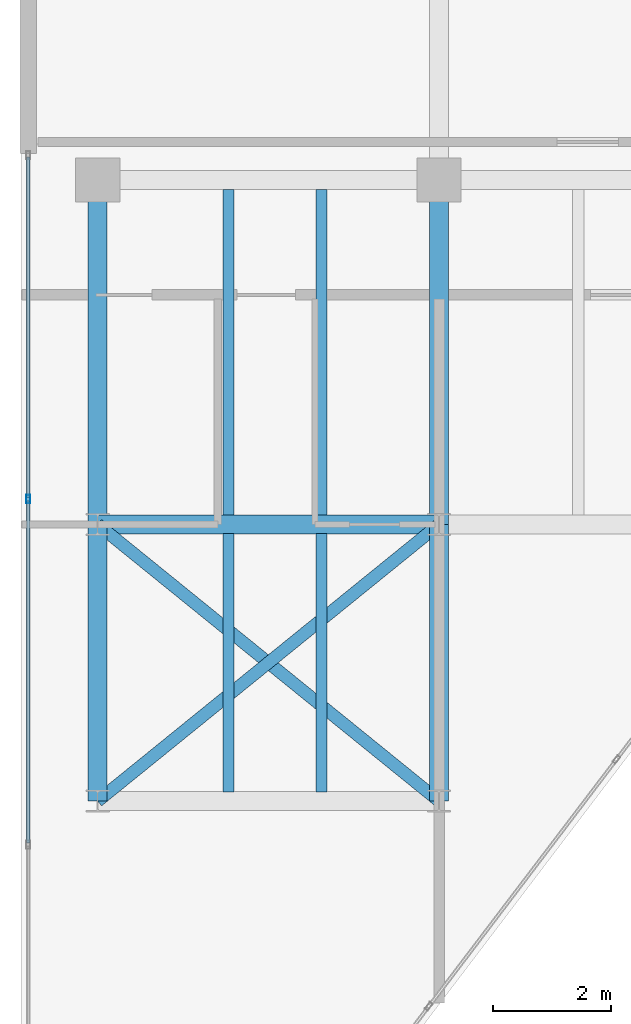
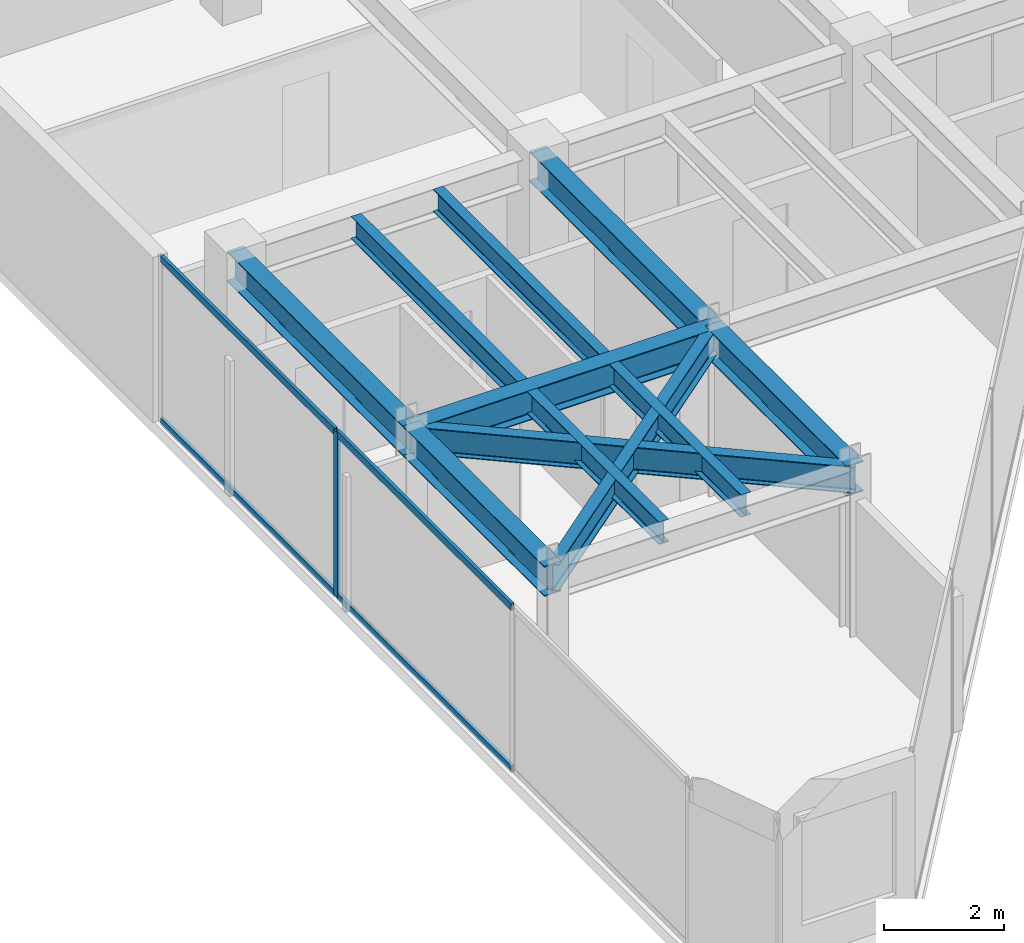
# One storey, part 3 of 17: 11 beams, 5 members, 1 element without a shape of its own.
"""IFC4 building model written with IfcOpenShell, lengths in metres."""

from ifc_helpers import new_model, si_unit, direction, frame, origin, origin_2d, place, context, subcontext, project, spatial, hollow_rectangle, i_section, extrude, material, layer, layer_set, material_profile, profile_set, type_object, element, aggregate, save


model = new_model("IFC4")

# Units and contexts
model_context = context("Model", 3, precision=1e-05, world=origin(), true_north=direction((0.0, 1.0)))
body_context = subcontext(model_context, "Body", "Model", "MODEL_VIEW")
ifc_project = project(units=[si_unit("LENGTHUNIT", "METRE"), si_unit("AREAUNIT", "SQUARE_METRE"), si_unit("VOLUMEUNIT", "CUBIC_METRE"), si_unit("PLANEANGLEUNIT", "RADIAN"), si_unit("MASSUNIT", "GRAM", prefix="KILO")], contexts=[model_context])

# Site, building, storey
site_placement = place(None, origin())
site = spatial("IfcSite", under=ifc_project, at=site_placement, CompositionType="ELEMENT")
building_placement = place(site_placement, origin())
building = spatial("IfcBuilding", under=site, at=building_placement, Name="Kravanh Interchange Tower", CompositionType="ELEMENT")
storey_placement = place(building_placement, frame((0.0, 0.0, 293.10009765625)))
storey = spatial("IfcBuildingStorey", under=building, at=storey_placement, Name="L72", CompositionType="ELEMENT", Elevation=293.10009765625)

# Curtain wall, members
ifc_material_1 = material(Name="Anodised Bronze Aluminium", Category="aluminium")
ifc_layer = layer(ifc_material_1, 0.179931640625)
ifc_layer_set = layer_set([ifc_layer], Name="Unitised Curtain Wall System CW-HTL Luxury Hotel")
curtain_wall_type = type_object("IfcCurtainWallType", Name="Unitised Curtain Wall System CW-HTL Luxury Hotel", PredefinedType="NOTDEFINED", material=ifc_layer_set)
curtain_wall_placement = place(storey_placement, origin())
curtain_wall = element("IfcCurtainWall", 1, at=curtain_wall_placement, inside=storey, type_object=curtain_wall_type, Name="L72 Unitised Curtain Wall CW-L72-01", PredefinedType="NOTDEFINED")
ifc_material_2 = material(Name="Anodised Bronze Aluminium", Category="aluminium")
ifc_material_profile_1 = material_profile(ifc_material_2, hollow_rectangle(XDim=0.06005859375, YDim=0.139892578125, WallThickness=0.00390625, at=origin_2d()), Name="ALU60X140X4")
ifc_profile_set_1 = profile_set([ifc_material_profile_1], Name="Anodised Bronze Aluminium")
member_type_1 = type_object("IfcMemberType", Name="Curtain Wall Mullion ALU60X140X4 Bronze", PredefinedType="MULLION", material=ifc_profile_set_1)
member_1_placement = place(storey_placement, frame((31.6201171875, 31.929931640625, 0.0), z_axis=(0.0, 0.0, 1.0), x_axis=(-1.0, 0.0, 0.0)))
member_1 = element("IfcMember", 2, at=member_1_placement, type_object=member_type_1, Name="CW-HTL mullion 3", PredefinedType="MULLION", context=body_context, shape_type="SweptSolid", body=[
    extrude(hollow_rectangle(XDim=0.06005859375, YDim=0.139892578125, WallThickness=0.00390625, at=origin_2d()), origin(), (0.0, 0.0, 1.0), 3.349853515625),
])
ifc_material_3 = material(Name="Anodised Bronze Aluminium", Category="aluminium")
ifc_material_profile_2 = material_profile(ifc_material_3, hollow_rectangle(XDim=0.06005859375, YDim=0.139892578125, WallThickness=0.00390625, at=origin_2d()), Name="ALU60X140X4")
ifc_profile_set_2 = profile_set([ifc_material_profile_2], Name="Anodised Bronze Aluminium")
member_type_2 = type_object("IfcMemberType", Name="Curtain Wall Transom ALU60X140X4 Bronze", PredefinedType="USERDEFINED", material=ifc_profile_set_2)
member_2_placement = place(storey_placement, frame((31.6201171875, 26.08984375, 0.02978515625), z_axis=(0.0, 1.0, 0.0), x_axis=(-1.0, 0.0, 0.0)))
member_2 = element("IfcMember", 3, at=member_2_placement, type_object=member_type_2, Name="CW-HTL transom 2.1", ObjectType="TRANSOM", PredefinedType="USERDEFINED", context=body_context, shape_type="SweptSolid", body=[
    extrude(hollow_rectangle(XDim=0.06005859375, YDim=0.139892578125, WallThickness=0.00390625, at=origin_2d()), origin(), (0.0, 0.0, 1.0), 5.81005859375),
])
member_3_placement = place(storey_placement, frame((31.6201171875, 26.08984375, 3.31982421875), z_axis=(0.0, 1.0, 0.0), x_axis=(-1.0, 0.0, 0.0)))
member_3 = element("IfcMember", 4, at=member_3_placement, type_object=member_type_2, Name="CW-HTL transom 2.2", ObjectType="TRANSOM", PredefinedType="USERDEFINED", context=body_context, shape_type="SweptSolid", body=[
    extrude(hollow_rectangle(XDim=0.06005859375, YDim=0.139892578125, WallThickness=0.00390625, at=origin_2d()), origin(), (0.0, 0.0, 1.0), 5.81005859375),
])
member_4_placement = place(storey_placement, frame((31.6201171875, 31.9599609375, 0.02978515625), z_axis=(0.0, 1.0, 0.0), x_axis=(-1.0, 0.0, 0.0)))
member_4 = element("IfcMember", 5, at=member_4_placement, type_object=member_type_2, Name="CW-HTL transom 3.1", ObjectType="TRANSOM", PredefinedType="USERDEFINED", context=body_context, shape_type="SweptSolid", body=[
    extrude(hollow_rectangle(XDim=0.06005859375, YDim=0.139892578125, WallThickness=0.00390625, at=origin_2d()), origin(), (0.0, 0.0, 1.0), 5.780029296875),
])
member_5_placement = place(storey_placement, frame((31.6201171875, 31.9599609375, 3.31982421875), z_axis=(0.0, 1.0, 0.0), x_axis=(-1.0, 0.0, 0.0)))
member_5 = element("IfcMember", 6, at=member_5_placement, type_object=member_type_2, Name="CW-HTL transom 3.2", ObjectType="TRANSOM", PredefinedType="USERDEFINED", context=body_context, shape_type="SweptSolid", body=[
    extrude(hollow_rectangle(XDim=0.06005859375, YDim=0.139892578125, WallThickness=0.00390625, at=origin_2d()), origin(), (0.0, 0.0, 1.0), 5.780029296875),
])
aggregate(curtain_wall, [member_1, member_2, member_3, member_4, member_5])

# Beams
ifc_material_4 = material(Name="Structural Steel S355", Category="steel")
ifc_material_profile_3 = material_profile(ifc_material_4, i_section(OverallWidth=0.323974609375, OverallDepth=0.611083984375, WebThickness=0.0126953125, FlangeThickness=0.01904296875, FilletRadius=0.02197265625, at=origin_2d()), Name="W24X104")
ifc_profile_set_3 = profile_set([ifc_material_profile_3], Name="Structural Steel S355")
beam_type_1 = type_object("IfcBeamType", Name="Floor Beam W24X104 Structural Steel S355", PredefinedType="BEAM", material=ifc_profile_set_3)
beam_1_placement = place(storey_placement, frame((38.60009765625, 31.5, 3.04443359375), z_axis=(0.0, -1.0, 0.0), x_axis=(1.0, 0.0, 0.0)))
element("IfcBeam", 7, at=beam_1_placement, inside=storey, type_object=beam_type_1, Name="L72 Primary Floor Girder 17", PredefinedType="BEAM", context=body_context, shape_type="SweptSolid", body=[
    extrude(i_section(OverallWidth=0.323974609375, OverallDepth=0.611083984375, WebThickness=0.0126953125, FlangeThickness=0.01904296875, FilletRadius=0.02197265625, at=origin_2d()), origin(), (0.0, 0.0, 1.0), 4.699951171875),
])
beam_2_placement = place(storey_placement, frame((38.60009765625, 31.5, 3.04443359375), z_axis=(-1.0, 0.0, 0.0), x_axis=(0.0, -1.0, 0.0)))
element("IfcBeam", 8, at=beam_2_placement, inside=storey, type_object=beam_type_1, Name="L72 Primary Floor Girder 18", PredefinedType="BEAM", context=body_context, shape_type="SweptSolid", body=[
    extrude(i_section(OverallWidth=0.323974609375, OverallDepth=0.611083984375, WebThickness=0.0126953125, FlangeThickness=0.01904296875, FilletRadius=0.02197265625, at=origin_2d()), origin(), (0.0, 0.0, 1.0), 5.800048828125),
])
beam_3_placement = place(storey_placement, frame((38.60009765625, 31.5, 3.04443359375), z_axis=(0.0, 1.0, 0.0), x_axis=(-1.0, 0.0, 0.0)))
element("IfcBeam", 9, at=beam_3_placement, inside=storey, type_object=beam_type_1, Name="L72 Primary Floor Girder 19", PredefinedType="BEAM", context=body_context, shape_type="SweptSolid", body=[
    extrude(i_section(OverallWidth=0.323974609375, OverallDepth=0.611083984375, WebThickness=0.0126953125, FlangeThickness=0.01904296875, FilletRadius=0.02197265625, at=origin_2d()), origin(), (0.0, 0.0, 1.0), 5.85009765625),
])
beam_4_placement = place(storey_placement, frame((32.800048828125, 31.5, 3.04443359375), z_axis=(0.0, -1.0, 0.0), x_axis=(1.0, 0.0, 0.0)))
element("IfcBeam", 10, at=beam_4_placement, inside=storey, type_object=beam_type_1, Name="L72 Primary Floor Girder 21", PredefinedType="BEAM", context=body_context, shape_type="SweptSolid", body=[
    extrude(i_section(OverallWidth=0.323974609375, OverallDepth=0.611083984375, WebThickness=0.0126953125, FlangeThickness=0.01904296875, FilletRadius=0.02197265625, at=origin_2d()), origin(), (0.0, 0.0, 1.0), 4.699951171875),
])
beam_5_placement = place(storey_placement, frame((32.800048828125, 31.5, 3.04443359375), z_axis=(0.0, 1.0, 0.0), x_axis=(-1.0, 0.0, 0.0)))
element("IfcBeam", 11, at=beam_5_placement, inside=storey, type_object=beam_type_1, Name="L72 Primary Floor Girder 22", PredefinedType="BEAM", context=body_context, shape_type="SweptSolid", body=[
    extrude(i_section(OverallWidth=0.323974609375, OverallDepth=0.611083984375, WebThickness=0.0126953125, FlangeThickness=0.01904296875, FilletRadius=0.02197265625, at=origin_2d()), origin(), (0.0, 0.0, 1.0), 5.85009765625),
])
ifc_material_5 = material(Name="Structural Steel S355", Category="steel")
ifc_material_profile_4 = material_profile(ifc_material_5, i_section(OverallWidth=0.18994140625, OverallDepth=0.45703125, WebThickness=0.009033203125, FlangeThickness=0.014404296875, FilletRadius=0.01806640625, at=origin_2d()), Name="W18X50")
ifc_profile_set_4 = profile_set([ifc_material_profile_4], Name="Structural Steel S355")
beam_type_2 = type_object("IfcBeamType", Name="Floor Joist W18X50 Structural Steel S355", PredefinedType="JOIST", material=ifc_profile_set_4)
for number, where, z_axis, x_axis, name in (
    (12, (35.02490234375, 26.95703125, 3.121337890625), (0.0, 1.0, 0.0), (-1.0, 0.0, 0.0), "L72 Secondary Floor Joist 3"),
    (13, (36.60009765625, 26.95703125, 3.121337890625), (0.0, 1.0, 0.0), (-1.0, 0.0, 0.0), "L72 Secondary Floor Joist 4"),
):
    element("IfcBeam", number, at=place(storey_placement, frame(where, z_axis=z_axis, x_axis=x_axis)), inside=storey, type_object=beam_type_2, Name=name, PredefinedType="JOIST", context=body_context, shape_type="SweptSolid", body=[
        extrude(i_section(OverallWidth=0.18994140625, OverallDepth=0.45703125, WebThickness=0.009033203125, FlangeThickness=0.014404296875, FilletRadius=0.01806640625, at=origin_2d()), origin(), (0.0, 0.0, 1.0), 4.385986328125),
    ])
for number, where, z_axis, x_axis, name in (
    (14, (35.02490234375, 31.656982421875, 3.121337890625), (0.0, 1.0, 0.0), (-1.0, 0.0, 0.0), "L72 Secondary Floor Joist 9"),
    (15, (36.60009765625, 31.656982421875, 3.121337890625), (0.0, 1.0, 0.0), (-1.0, 0.0, 0.0), "L72 Secondary Floor Joist 10"),
):
    element("IfcBeam", number, at=place(storey_placement, frame(where, z_axis=z_axis, x_axis=x_axis)), inside=storey, type_object=beam_type_2, Name=name, PredefinedType="JOIST", context=body_context, shape_type="SweptSolid", body=[
        extrude(i_section(OverallWidth=0.18994140625, OverallDepth=0.45703125, WebThickness=0.009033203125, FlangeThickness=0.014404296875, FilletRadius=0.01806640625, at=origin_2d()), origin(), (0.0, 0.0, 1.0), 5.5361328125),
    ])
ifc_material_6 = material(Name="Structural Steel S355", Category="steel")
ifc_material_profile_5 = material_profile(ifc_material_6, i_section(OverallWidth=0.2099609375, OverallDepth=0.537109375, WebThickness=0.010986328125, FlangeThickness=0.017333984375, FilletRadius=0.02001953125, at=origin_2d()), Name="W21X68")
ifc_profile_set_5 = profile_set([ifc_material_profile_5], Name="Structural Steel S355")
beam_type_3 = type_object("IfcBeamType", Name="Floor Spandrel W21X68 Structural Steel S355", PredefinedType="SPANDREL", material=ifc_profile_set_5)
for number, where, z_axis, x_axis, name in (
    (16, (38.60009765625, 31.5, 3.081298828125), (-0.776938619557, -0.629576350764, 0.0), (0.629576350764, -0.776938619557, 0.0), "L72 Perimeter Spandrel 20"),
    (17, (32.800048828125, 31.5, 3.081298828125), (0.776938619557, -0.629576350764, 0.0), (0.629576350764, 0.776938619557, 0.0), "L72 Perimeter Spandrel 23"),
):
    element("IfcBeam", number, at=place(storey_placement, frame(where, z_axis=z_axis, x_axis=x_axis)), inside=storey, type_object=beam_type_3, Name=name, PredefinedType="SPANDREL", context=body_context, shape_type="SweptSolid", body=[
        extrude(i_section(OverallWidth=0.2099609375, OverallDepth=0.537109375, WebThickness=0.010986328125, FlangeThickness=0.017333984375, FilletRadius=0.02001953125, at=origin_2d()), origin(), (0.0, 0.0, 1.0), 7.46533203125),
    ])

save(model, "model.ifc")
